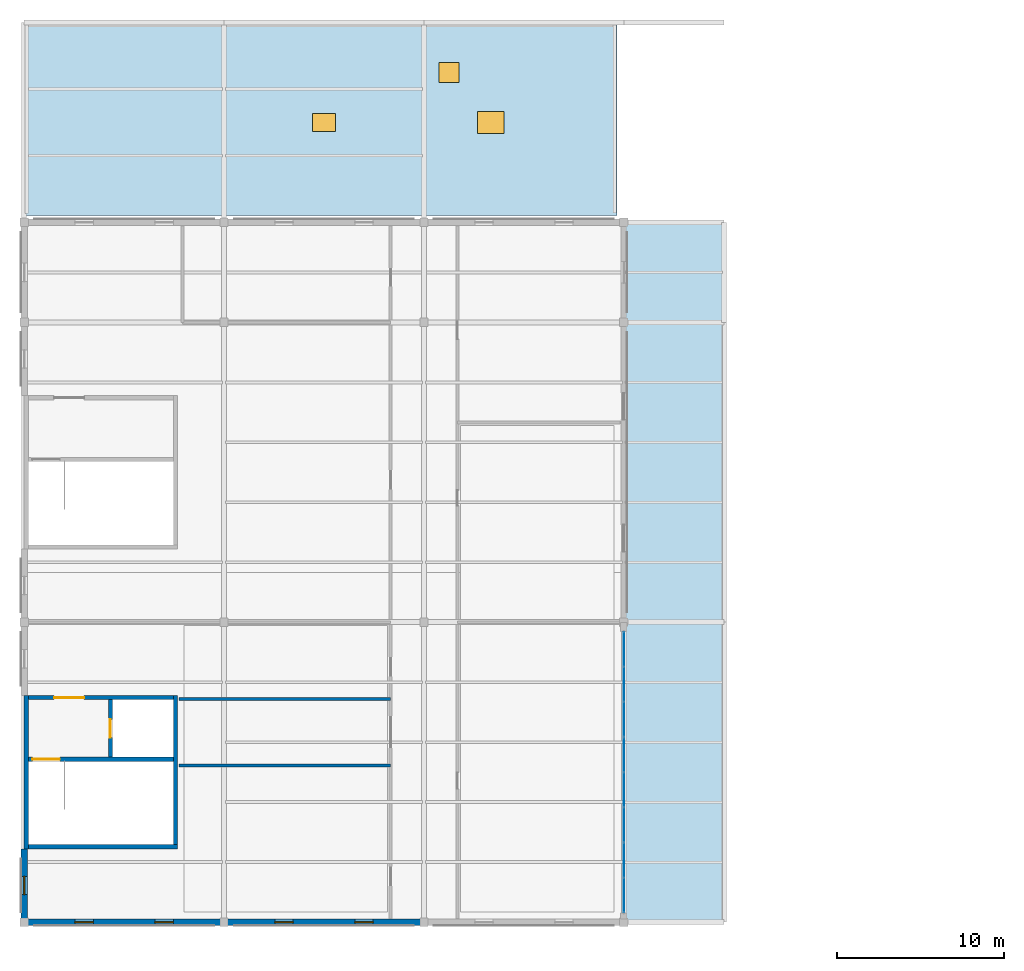
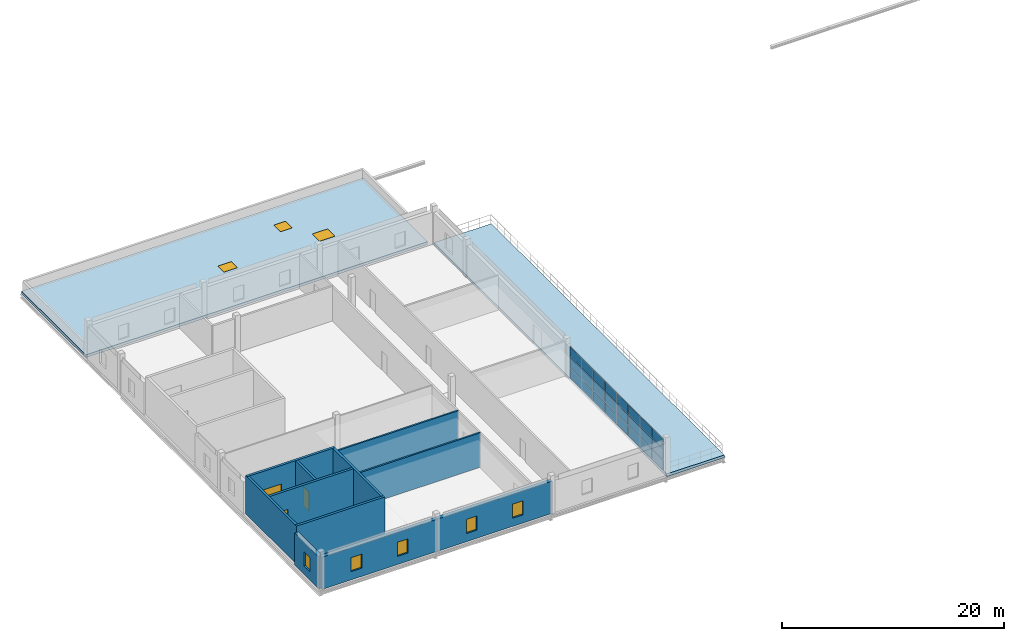
# One storey, part 8 of 11: 24 plates, 11 walls, 8 windows, 3 doors, 2 slabs, 11 openings, 1 element without a shape of its own.
"""IFC4 building model written with IfcOpenShell, lengths in metres."""

import ifcopenshell
import ifcopenshell.guid

model = None  # the IFC model being written
_history = None  # IfcOwnerHistory: only IFC2X3 demands one
_inside = {}  # id of a spatial element -> (the spatial element, [elements in it])
_under = {}  # id of a project, library or spatial element -> (it, [spatial elements below it])
_declared = {}  # id of a project -> (the project, [libraries it declares])
_typed = {}  # id of a type object -> (the type object, [elements of that type])
_made_of = {}  # id of a material, layer set ... -> (it, [elements and type objects made of it])


def new_model(schema):
    """Start an empty IFC model of exactly this schema.

    Asked for "IFC4X3", IfcOpenShell would pick the latest addendum, in which some entities
    have other attributes; the version numbers below select the first issue.
    IFC2X3 requires an IfcOwnerHistory on every rooted entity: one is made here for all.
    """
    global model, _history
    if schema == "IFC4X3":
        model = ifcopenshell.file(schema_version=(4, 3, 0, 0))
    else:
        model = ifcopenshell.file(schema=schema)
    _inside.clear()
    _under.clear()
    _declared.clear()
    _typed.clear()
    _made_of.clear()
    _history = None
    if model.schema == "IFC2X3":
        org = make("IfcOrganization", Name="unknown")
        user = make(
            "IfcPersonAndOrganization",
            ThePerson=make("IfcPerson", FamilyName="unknown"),
            TheOrganization=org,
        )
        app = make(
            "IfcApplication",
            ApplicationDeveloper=org,
            Version="unknown",
            ApplicationFullName="unknown",
            ApplicationIdentifier="unknown",
        )
        _history = make(
            "IfcOwnerHistory",
            OwningUser=user,
            OwningApplication=app,
            ChangeAction="ADDED",
            CreationDate=0,
        )
    return model


def make(cls, **values):
    """One entity of the class cls with the attributes given. An attribute that is None is left unset."""
    return model.create_entity(
        cls, **{name: value for name, value in values.items() if value is not None}
    )


def rooted(cls, **values):
    """An entity with a GlobalId (a new one), such as an element, a storey or a relation."""
    return make(cls, GlobalId=ifcopenshell.guid.new(), OwnerHistory=_history, **values)


def si_unit(unit_type, name, prefix=None):
    """IfcSIUnit, for example si_unit("LENGTHUNIT", "METRE", prefix="MILLI")."""
    return make("IfcSIUnit", UnitType=unit_type, Prefix=prefix, Name=name)


def assignment(units):
    """IfcUnitAssignment: the units of a project."""
    return None if units is None else make("IfcUnitAssignment", Units=units)


def point(xyz):
    """IfcCartesianPoint."""
    return None if xyz is None else make("IfcCartesianPoint", Coordinates=xyz)


def direction(xyz):
    """IfcDirection."""
    return None if xyz is None else make("IfcDirection", DirectionRatios=xyz)


def frame(location, z_axis=None, x_axis=None):
    """IfcAxis2Placement3D, a coordinate frame: its origin and axes. An axis left out is left unset."""
    return make(
        "IfcAxis2Placement3D",
        Location=point(location),
        Axis=direction(z_axis),
        RefDirection=direction(x_axis),
    )


def frame_2d(location, x_axis=None):
    """IfcAxis2Placement2D, a coordinate frame in the plane: its origin and x axis."""
    return make(
        "IfcAxis2Placement2D", Location=point(location), RefDirection=direction(x_axis)
    )


def origin():
    """The frame at (0, 0, 0) with its axes left unset."""
    return frame((0.0, 0.0, 0.0))


def origin_2d():
    """The frame at (0, 0) in the plane with its x axis left unset."""
    return frame_2d((0.0, 0.0))


def place(relative_to, where):
    """IfcLocalPlacement: puts the frame where relative to a parent placement (None: the world)."""
    return make(
        "IfcLocalPlacement", PlacementRelTo=relative_to, RelativePlacement=where
    )


def context(
    kind, dimensions, precision=None, world=None, true_north=None, identifier=None
):
    """IfcGeometricRepresentationContext, for example the 3D "Model" context."""
    return make(
        "IfcGeometricRepresentationContext",
        ContextIdentifier=identifier,
        ContextType=kind,
        CoordinateSpaceDimension=dimensions,
        Precision=precision,
        WorldCoordinateSystem=world,
        TrueNorth=true_north,
    )


def subcontext(parent, identifier, kind, view, scale=None):
    """IfcGeometricRepresentationSubContext, for example "Body" below "Model"."""
    return make(
        "IfcGeometricRepresentationSubContext",
        ContextIdentifier=identifier,
        ContextType=kind,
        ParentContext=parent,
        TargetScale=scale,
        TargetView=view,
    )


def project(units=None, contexts=None):
    """IfcProject with its units and contexts."""
    return rooted(
        "IfcProject",
        Name="project",
        RepresentationContexts=contexts,
        UnitsInContext=assignment(units),
    )


def spatial(cls, under=None, at=None, **own):
    """A site, building, storey or space (cls), placed at a placement, below another one or the project."""
    s = rooted(cls, ObjectPlacement=at, **own)
    if under is not None:
        _under.setdefault(under.id(), (under, []))[1].append(s)
    return s


def polyline(points):
    """IfcPolyline through the points."""
    return make("IfcPolyline", Points=[point(p) for p in points])


def profile(cls, at=None, kind="AREA", **sizes):
    """A parametric profile (cls). Its sizes go by their IFC names, for example OverallWidth=200.0."""
    return make(cls, ProfileType=kind, Position=at, **sizes)


def rectangle(**sizes):
    """IfcRectangleProfileDef."""
    return profile("IfcRectangleProfileDef", **sizes)


def outline(outer, holes=None, kind="AREA"):
    """IfcArbitraryClosedProfileDef: a profile drawn as a closed curve; with holes, ...WithVoids."""
    if holes is None:
        return make("IfcArbitraryClosedProfileDef", ProfileType=kind, OuterCurve=outer)
    return make(
        "IfcArbitraryProfileDefWithVoids",
        ProfileType=kind,
        OuterCurve=outer,
        InnerCurves=holes,
    )


def extrude(swept, where, along, depth):
    """IfcExtrudedAreaSolid: the profile swept, set in the frame where, extruded along a direction by depth."""
    return make(
        "IfcExtrudedAreaSolid",
        SweptArea=swept,
        Position=where,
        ExtrudedDirection=direction(along),
        Depth=depth,
    )


def shape(context_of_items, identifier, shape_type, items):
    """IfcShapeRepresentation: the items that make up one representation, for example the "Body"."""
    return make(
        "IfcShapeRepresentation",
        ContextOfItems=context_of_items,
        RepresentationIdentifier=identifier,
        RepresentationType=shape_type,
        Items=items,
    )


def material(Name=None, Category=None):
    """IfcMaterial."""
    return make("IfcMaterial", Name=Name, Category=Category)


def layer(
    of_material, thickness, ventilated=None, Name=None, Category=None, Priority=None
):
    """IfcMaterialLayer: one layer of a wall or slab, of a material (None: an air gap)."""
    return make(
        "IfcMaterialLayer",
        Material=of_material,
        LayerThickness=thickness,
        IsVentilated=ventilated,
        Name=Name,
        Category=Category,
        Priority=Priority,
    )


def layer_set(layers, Name=None):
    """IfcMaterialLayerSet."""
    return make("IfcMaterialLayerSet", MaterialLayers=layers, LayerSetName=Name)


def made_of(thing, what):
    """Note that an element or type object is made of a material, layer set ...; save() writes the relation."""
    if what is not None:
        _made_of.setdefault(what.id(), (what, []))[1].append(thing)
    return thing


def type_object(cls, material=None, **own):
    """A type object (cls), such as IfcWallType, which elements share."""
    return made_of(rooted(cls, **own), material)


def element(
    cls,
    number,
    at=None,
    inside=None,
    cuts=None,
    type_object=None,
    material=None,
    context=None,
    identifier="Body",
    shape_type=None,
    held_by="IfcProductDefinitionShape",
    body=None,
    shapes=None,
    **own,
):
    """One element of the class cls, such as IfcWall. Its Tag is "e" and its number.

    at: its placement. inside: the storey or other place that contains it. cuts: it is an
    opening in that element (IfcRelVoidsElement). A single representation is given by context,
    identifier, shape_type and body (its items); several are given by shapes. held_by: the class
    of the entity that holds the representations. save() writes the other relations.
    """
    e = rooted(cls, Tag="e%d" % number, ObjectPlacement=at, **own)
    if body is not None:
        shapes = [shape(context, identifier, shape_type, body)]
    if shapes is not None:
        e.Representation = make(held_by, Representations=shapes)
    if inside is not None:
        _inside.setdefault(inside.id(), (inside, []))[1].append(e)
    if cuts is not None:
        rooted(
            "IfcRelVoidsElement", RelatingBuildingElement=cuts, RelatedOpeningElement=e
        )
    if type_object is not None:
        _typed.setdefault(type_object.id(), (type_object, []))[1].append(e)
    return made_of(e, material)


def fill(opening, filler):
    """IfcRelFillsElement: the door or window that sits in an opening."""
    return rooted(
        "IfcRelFillsElement",
        RelatingOpeningElement=opening,
        RelatedBuildingElement=filler,
    )


def aggregate(whole, parts):
    """IfcRelAggregates: a whole, such as a stair, and the parts it consists of."""
    return rooted("IfcRelAggregates", RelatingObject=whole, RelatedObjects=parts)


def save(model, path):
    """Write the relations noted so far, then the file.

    IfcRelAggregates (storeys below a building ...), IfcRelContainedInSpatialStructure (elements
    in a storey), IfcRelDefinesByType, IfcRelAssociatesMaterial and IfcRelDeclares: one each for
    every whole, place, type object, material and project.
    """
    for whole, parts in _under.values():
        aggregate(whole, parts)
    for where, things in _inside.values():
        rooted(
            "IfcRelContainedInSpatialStructure",
            RelatedElements=things,
            RelatingStructure=where,
        )
    for kind, things in _typed.values():
        rooted("IfcRelDefinesByType", RelatedObjects=things, RelatingType=kind)
    for what, things in _made_of.values():
        rooted("IfcRelAssociatesMaterial", RelatedObjects=things, RelatingMaterial=what)
    for by, libraries in _declared.values():
        rooted("IfcRelDeclares", RelatingContext=by, RelatedDefinitions=libraries)
    model.write(path)


model = new_model("IFC4")

# Units and contexts
model_context = context("Model", 3, precision=1e-05, world=origin(), true_north=direction((0.0, 1.0)))
body_context = subcontext(model_context, "Body", "Model", "MODEL_VIEW")
ifc_project = project(units=[si_unit("LENGTHUNIT", "METRE"), si_unit("AREAUNIT", "SQUARE_METRE"), si_unit("VOLUMEUNIT", "CUBIC_METRE"), si_unit("PLANEANGLEUNIT", "RADIAN"), si_unit("MASSUNIT", "GRAM", prefix="KILO")], contexts=[model_context])

# Site, building, storey
site_placement = place(None, origin())
site = spatial("IfcSite", under=ifc_project, at=site_placement, CompositionType="ELEMENT")
building_placement = place(site_placement, origin())
building = spatial("IfcBuilding", under=site, at=building_placement, Name="Zilviju Railside Exhibition Hall", CompositionType="ELEMENT")
storey_placement = place(building_placement, frame((0.0, 0.0, 16.800048828125)))
storey = spatial("IfcBuildingStorey", under=building, at=storey_placement, Name="L05", CompositionType="ELEMENT", Elevation=16.800048828125)

# Curtain wall, plates
ifc_material_1 = material(Name="Thermally broken aluminium-steel triple-glazed curtain wall", Category="steel")
ifc_layer_1 = layer(ifc_material_1, 0.179931640625)
ifc_layer_set_1 = layer_set([ifc_layer_1], Name="Thermally broken aluminium-steel triple-glazed curtain wall")
curtain_wall_type = type_object("IfcCurtainWallType", Name="CW-BAY-08", PredefinedType="USERDEFINED", material=ifc_layer_set_1)
curtain_wall_placement = place(storey_placement, origin())
curtain_wall = element("IfcCurtainWall", 1, at=curtain_wall_placement, inside=storey, type_object=curtain_wall_type, Name="Directorate L05 Boardroom Curtain Wall", ObjectType="GLAZED CURTAIN WALL", PredefinedType="USERDEFINED")
ifc_material_2 = material(Name="Triple-glazed low-E argon insulating glass unit", Category="glass")
ifc_layer_2 = layer(ifc_material_2, 0.0439453125)
ifc_layer_set_2 = layer_set([ifc_layer_2], Name="Triple-glazed low-E argon insulating glass unit")
plate_type = type_object("IfcPlateType", Name="CWP-IGU-44", PredefinedType="CURTAIN_PANEL", material=ifc_layer_set_2)
plate_1_placement = place(storey_placement, frame((36.0, 100.3798828125, 0.054931640625), z_axis=(0.0, 0.0, 1.0), x_axis=(0.0, -1.0, 0.0)))
plate_1 = element("IfcPlate", 2, at=plate_1_placement, type_object=plate_type, Name="CW-08 panel 1.1", PredefinedType="CURTAIN_PANEL", context=body_context, shape_type="SweptSolid", body=[
    extrude(rectangle(XDim=2.030029296875, YDim=0.0439453125, at=origin_2d()), origin(), (0.0, 0.0, 1.0), 1.1005859375),
])
plate_2_placement = place(storey_placement, frame((36.0, 100.3798828125, 1.21044921875), z_axis=(0.0, 0.0, 1.0), x_axis=(0.0, -1.0, 0.0)))
plate_2 = element("IfcPlate", 3, at=plate_2_placement, type_object=plate_type, Name="CW-08 panel 1.2", PredefinedType="CURTAIN_PANEL", context=body_context, shape_type="SweptSolid", body=[
    extrude(rectangle(XDim=2.030029296875, YDim=0.0439453125, at=origin_2d()), origin(), (0.0, 0.0, 1.0), 1.12890625),
])
plate_3_placement = place(storey_placement, frame((36.0, 100.3798828125, 2.394287109375), z_axis=(0.0, 0.0, 1.0), x_axis=(0.0, -1.0, 0.0)))
plate_3 = element("IfcPlate", 4, at=plate_3_placement, type_object=plate_type, Name="CW-08 panel 1.3", PredefinedType="CURTAIN_PANEL", context=body_context, shape_type="SweptSolid", body=[
    extrude(rectangle(XDim=2.030029296875, YDim=0.0439453125, at=origin_2d()), origin(), (0.0, 0.0, 1.0), 1.1005859375),
])
plate_4_placement = place(storey_placement, frame((36.0, 98.28125, 0.054931640625), z_axis=(0.0, 0.0, 1.0), x_axis=(0.0, -1.0, 0.0)))
plate_4 = element("IfcPlate", 5, at=plate_4_placement, type_object=plate_type, Name="CW-08 panel 2.1", PredefinedType="CURTAIN_PANEL", context=body_context, shape_type="SweptSolid", body=[
    extrude(rectangle(XDim=2.0576171875, YDim=0.0439453125, at=origin_2d()), origin(), (0.0, 0.0, 1.0), 1.1005859375),
])
plate_5_placement = place(storey_placement, frame((36.0, 98.28125, 1.21044921875), z_axis=(0.0, 0.0, 1.0), x_axis=(0.0, -1.0, 0.0)))
plate_5 = element("IfcPlate", 6, at=plate_5_placement, type_object=plate_type, Name="CW-08 panel 2.2", PredefinedType="CURTAIN_PANEL", context=body_context, shape_type="SweptSolid", body=[
    extrude(rectangle(XDim=2.0576171875, YDim=0.0439453125, at=origin_2d()), origin(), (0.0, 0.0, 1.0), 1.12890625),
])
plate_6_placement = place(storey_placement, frame((36.0, 98.28125, 2.394287109375), z_axis=(0.0, 0.0, 1.0), x_axis=(0.0, -1.0, 0.0)))
plate_6 = element("IfcPlate", 7, at=plate_6_placement, type_object=plate_type, Name="CW-08 panel 2.3", PredefinedType="CURTAIN_PANEL", context=body_context, shape_type="SweptSolid", body=[
    extrude(rectangle(XDim=2.0576171875, YDim=0.0439453125, at=origin_2d()), origin(), (0.0, 0.0, 1.0), 1.1005859375),
])
plate_7_placement = place(storey_placement, frame((36.0, 96.168701171875, 0.054931640625), z_axis=(0.0, 0.0, 1.0), x_axis=(0.0, -1.0, 0.0)))
plate_7 = element("IfcPlate", 8, at=plate_7_placement, type_object=plate_type, Name="CW-08 panel 3.1", PredefinedType="CURTAIN_PANEL", context=body_context, shape_type="SweptSolid", body=[
    extrude(rectangle(XDim=2.0576171875, YDim=0.0439453125, at=origin_2d()), origin(), (0.0, 0.0, 1.0), 1.1005859375),
])
plate_8_placement = place(storey_placement, frame((36.0, 96.168701171875, 1.21044921875), z_axis=(0.0, 0.0, 1.0), x_axis=(0.0, -1.0, 0.0)))
plate_8 = element("IfcPlate", 9, at=plate_8_placement, type_object=plate_type, Name="CW-08 panel 3.2", PredefinedType="CURTAIN_PANEL", context=body_context, shape_type="SweptSolid", body=[
    extrude(rectangle(XDim=2.0576171875, YDim=0.0439453125, at=origin_2d()), origin(), (0.0, 0.0, 1.0), 1.12890625),
])
plate_9_placement = place(storey_placement, frame((36.0, 96.168701171875, 2.394287109375), z_axis=(0.0, 0.0, 1.0), x_axis=(0.0, -1.0, 0.0)))
plate_9 = element("IfcPlate", 10, at=plate_9_placement, type_object=plate_type, Name="CW-08 panel 3.3", PredefinedType="CURTAIN_PANEL", context=body_context, shape_type="SweptSolid", body=[
    extrude(rectangle(XDim=2.0576171875, YDim=0.0439453125, at=origin_2d()), origin(), (0.0, 0.0, 1.0), 1.1005859375),
])
plate_10_placement = place(storey_placement, frame((36.0, 94.05615234375, 0.054931640625), z_axis=(0.0, 0.0, 1.0), x_axis=(0.0, -1.0, 0.0)))
plate_10 = element("IfcPlate", 11, at=plate_10_placement, type_object=plate_type, Name="CW-08 panel 4.1", PredefinedType="CURTAIN_PANEL", context=body_context, shape_type="SweptSolid", body=[
    extrude(rectangle(XDim=2.0576171875, YDim=0.0439453125, at=origin_2d()), origin(), (0.0, 0.0, 1.0), 1.1005859375),
])
plate_11_placement = place(storey_placement, frame((36.0, 94.05615234375, 1.21044921875), z_axis=(0.0, 0.0, 1.0), x_axis=(0.0, -1.0, 0.0)))
plate_11 = element("IfcPlate", 12, at=plate_11_placement, type_object=plate_type, Name="CW-08 panel 4.2", PredefinedType="CURTAIN_PANEL", context=body_context, shape_type="SweptSolid", body=[
    extrude(rectangle(XDim=2.0576171875, YDim=0.0439453125, at=origin_2d()), origin(), (0.0, 0.0, 1.0), 1.12890625),
])
plate_12_placement = place(storey_placement, frame((36.0, 94.05615234375, 2.394287109375), z_axis=(0.0, 0.0, 1.0), x_axis=(0.0, -1.0, 0.0)))
plate_12 = element("IfcPlate", 13, at=plate_12_placement, type_object=plate_type, Name="CW-08 panel 4.3", PredefinedType="CURTAIN_PANEL", context=body_context, shape_type="SweptSolid", body=[
    extrude(rectangle(XDim=2.0576171875, YDim=0.0439453125, at=origin_2d()), origin(), (0.0, 0.0, 1.0), 1.1005859375),
])
plate_13_placement = place(storey_placement, frame((36.0, 91.94384765625, 0.054931640625), z_axis=(0.0, 0.0, 1.0), x_axis=(0.0, -1.0, 0.0)))
plate_13 = element("IfcPlate", 14, at=plate_13_placement, type_object=plate_type, Name="CW-08 panel 5.1", PredefinedType="CURTAIN_PANEL", context=body_context, shape_type="SweptSolid", body=[
    extrude(rectangle(XDim=2.0576171875, YDim=0.0439453125, at=origin_2d()), origin(), (0.0, 0.0, 1.0), 1.1005859375),
])
plate_14_placement = place(storey_placement, frame((36.0, 91.94384765625, 1.21044921875), z_axis=(0.0, 0.0, 1.0), x_axis=(0.0, -1.0, 0.0)))
plate_14 = element("IfcPlate", 15, at=plate_14_placement, type_object=plate_type, Name="CW-08 panel 5.2", PredefinedType="CURTAIN_PANEL", context=body_context, shape_type="SweptSolid", body=[
    extrude(rectangle(XDim=2.0576171875, YDim=0.0439453125, at=origin_2d()), origin(), (0.0, 0.0, 1.0), 1.12890625),
])
plate_15_placement = place(storey_placement, frame((36.0, 91.94384765625, 2.394287109375), z_axis=(0.0, 0.0, 1.0), x_axis=(0.0, -1.0, 0.0)))
plate_15 = element("IfcPlate", 16, at=plate_15_placement, type_object=plate_type, Name="CW-08 panel 5.3", PredefinedType="CURTAIN_PANEL", context=body_context, shape_type="SweptSolid", body=[
    extrude(rectangle(XDim=2.0576171875, YDim=0.0439453125, at=origin_2d()), origin(), (0.0, 0.0, 1.0), 1.1005859375),
])
plate_16_placement = place(storey_placement, frame((36.0, 89.831298828125, 0.054931640625), z_axis=(0.0, 0.0, 1.0), x_axis=(0.0, -1.0, 0.0)))
plate_16 = element("IfcPlate", 17, at=plate_16_placement, type_object=plate_type, Name="CW-08 panel 6.1", PredefinedType="CURTAIN_PANEL", context=body_context, shape_type="SweptSolid", body=[
    extrude(rectangle(XDim=2.0576171875, YDim=0.0439453125, at=origin_2d()), origin(), (0.0, 0.0, 1.0), 1.1005859375),
])
plate_17_placement = place(storey_placement, frame((36.0, 89.831298828125, 1.21044921875), z_axis=(0.0, 0.0, 1.0), x_axis=(0.0, -1.0, 0.0)))
plate_17 = element("IfcPlate", 18, at=plate_17_placement, type_object=plate_type, Name="CW-08 panel 6.2", PredefinedType="CURTAIN_PANEL", context=body_context, shape_type="SweptSolid", body=[
    extrude(rectangle(XDim=2.0576171875, YDim=0.0439453125, at=origin_2d()), origin(), (0.0, 0.0, 1.0), 1.12890625),
])
plate_18_placement = place(storey_placement, frame((36.0, 89.831298828125, 2.394287109375), z_axis=(0.0, 0.0, 1.0), x_axis=(0.0, -1.0, 0.0)))
plate_18 = element("IfcPlate", 19, at=plate_18_placement, type_object=plate_type, Name="CW-08 panel 6.3", PredefinedType="CURTAIN_PANEL", context=body_context, shape_type="SweptSolid", body=[
    extrude(rectangle(XDim=2.0576171875, YDim=0.0439453125, at=origin_2d()), origin(), (0.0, 0.0, 1.0), 1.1005859375),
])
plate_19_placement = place(storey_placement, frame((36.0, 87.71875, 0.054931640625), z_axis=(0.0, 0.0, 1.0), x_axis=(0.0, -1.0, 0.0)))
plate_19 = element("IfcPlate", 20, at=plate_19_placement, type_object=plate_type, Name="CW-08 panel 7.1", PredefinedType="CURTAIN_PANEL", context=body_context, shape_type="SweptSolid", body=[
    extrude(rectangle(XDim=2.0576171875, YDim=0.0439453125, at=origin_2d()), origin(), (0.0, 0.0, 1.0), 1.1005859375),
])
plate_20_placement = place(storey_placement, frame((36.0, 87.71875, 1.21044921875), z_axis=(0.0, 0.0, 1.0), x_axis=(0.0, -1.0, 0.0)))
plate_20 = element("IfcPlate", 21, at=plate_20_placement, type_object=plate_type, Name="CW-08 panel 7.2", PredefinedType="CURTAIN_PANEL", context=body_context, shape_type="SweptSolid", body=[
    extrude(rectangle(XDim=2.0576171875, YDim=0.0439453125, at=origin_2d()), origin(), (0.0, 0.0, 1.0), 1.12890625),
])
plate_21_placement = place(storey_placement, frame((36.0, 87.71875, 2.394287109375), z_axis=(0.0, 0.0, 1.0), x_axis=(0.0, -1.0, 0.0)))
plate_21 = element("IfcPlate", 22, at=plate_21_placement, type_object=plate_type, Name="CW-08 panel 7.3", PredefinedType="CURTAIN_PANEL", context=body_context, shape_type="SweptSolid", body=[
    extrude(rectangle(XDim=2.0576171875, YDim=0.0439453125, at=origin_2d()), origin(), (0.0, 0.0, 1.0), 1.1005859375),
])
plate_22_placement = place(storey_placement, frame((36.0, 85.6201171875, 0.054931640625), z_axis=(0.0, 0.0, 1.0), x_axis=(0.0, -1.0, 0.0)))
plate_22 = element("IfcPlate", 23, at=plate_22_placement, type_object=plate_type, Name="CW-08 panel 8.1", PredefinedType="CURTAIN_PANEL", context=body_context, shape_type="SweptSolid", body=[
    extrude(rectangle(XDim=2.030029296875, YDim=0.0439453125, at=origin_2d()), origin(), (0.0, 0.0, 1.0), 1.1005859375),
])
plate_23_placement = place(storey_placement, frame((36.0, 85.6201171875, 1.21044921875), z_axis=(0.0, 0.0, 1.0), x_axis=(0.0, -1.0, 0.0)))
plate_23 = element("IfcPlate", 24, at=plate_23_placement, type_object=plate_type, Name="CW-08 panel 8.2", PredefinedType="CURTAIN_PANEL", context=body_context, shape_type="SweptSolid", body=[
    extrude(rectangle(XDim=2.030029296875, YDim=0.0439453125, at=origin_2d()), origin(), (0.0, 0.0, 1.0), 1.12890625),
])
plate_24_placement = place(storey_placement, frame((36.0, 85.6201171875, 2.394287109375), z_axis=(0.0, 0.0, 1.0), x_axis=(0.0, -1.0, 0.0)))
plate_24 = element("IfcPlate", 25, at=plate_24_placement, type_object=plate_type, Name="CW-08 panel 8.3", PredefinedType="CURTAIN_PANEL", context=body_context, shape_type="SweptSolid", body=[
    extrude(rectangle(XDim=2.030029296875, YDim=0.0439453125, at=origin_2d()), origin(), (0.0, 0.0, 1.0), 1.1005859375),
])
aggregate(curtain_wall, [plate_1, plate_2, plate_3, plate_4, plate_5, plate_6, plate_7, plate_8, plate_9, plate_10, plate_11, plate_12, plate_13, plate_14, plate_15, plate_16, plate_17, plate_18, plate_19, plate_20, plate_21, plate_22, plate_23, plate_24])

# Slab
ifc_material_3 = material(Name="Concrete C35/45", Category="concrete")
ifc_layer_3 = layer(ifc_material_3, 0.300048828125)
ifc_layer_set_3 = layer_set([ifc_layer_3], Name="Concrete C35/45")
slab_type = type_object("IfcSlabType", Name="SL-RG-300", PredefinedType="ROOF", material=ifc_layer_set_3)
slab_1_placement = place(storey_placement, frame((0.0, 0.0, -0.300048828125)))
element("IfcSlab", 26, at=slab_1_placement, inside=storey, type_object=slab_type, Name="Directorate East Step Planted Roof Garden", PredefinedType="ROOF", context=body_context, shape_type="SweptSolid", body=[
    extrude(outline(polyline([(36.0, 84.0), (42.0, 84.0), (42.0, 126.0), (36.0, 126.0), (36.0, 84.0)])), origin(), (0.0, 0.0, 1.0), 0.300048828125),
])

# Slab, openings, windows
slab_2_placement = place(storey_placement, frame((0.0, 0.0, -0.300048828125)))
slab_2 = element("IfcSlab", 27, at=slab_2_placement, inside=storey, type_object=slab_type, Name="Directorate North Extensive Green Roof", PredefinedType="ROOF", context=body_context, shape_type="SweptSolid", body=[
    extrude(outline(polyline([(0.0, 126.39990234375), (35.60009765625, 126.39990234375), (35.60009765625, 138.0), (0.0, 138.0), (0.0, 126.39990234375)])), origin(), (0.0, 0.0, 1.0), 0.300048828125),
])
opening_1_placement = place(slab_2_placement, frame((18.0, 132.0, 0.0)))
opening_1 = element("IfcOpeningElement", 28, at=opening_1_placement, cuts=slab_2, Name="Opening SK-05", PredefinedType="OPENING", context=body_context, shape_type="SweptSolid", body=[
    extrude(rectangle(XDim=1.39990234375, YDim=1.10009765625, at=origin_2d()), frame((0.0, 0.0, -0.010009765625)), (0.0, 0.0, 1.0), 0.320068359375),
])
opening_2_placement = place(slab_2_placement, frame((28.0, 132.0, 0.0)))
opening_2 = element("IfcOpeningElement", 29, at=opening_2_placement, cuts=slab_2, Name="Opening SK-06", PredefinedType="OPENING", context=body_context, shape_type="SweptSolid", body=[
    extrude(rectangle(XDim=1.60009765625, YDim=1.300048828125, at=origin_2d()), frame((0.0, 0.0, -0.010009765625)), (0.0, 0.0, 1.0), 0.320068359375),
])
opening_3_placement = place(slab_2_placement, frame((25.5, 135.0, 0.0)))
opening_3 = element("IfcOpeningElement", 30, at=opening_3_placement, cuts=slab_2, Name="Opening SK-04", PredefinedType="OPENING", context=body_context, shape_type="SweptSolid", body=[
    extrude(rectangle(XDim=1.199951171875, YDim=1.199951171875, at=origin_2d()), frame((0.0, 0.0, -0.010009765625)), (0.0, 0.0, 1.0), 0.320068359375),
])
ifc_material_4 = material(Name="Triple-glazed timber-aluminium window unit", Category="wood")
window_type_1 = type_object("IfcWindowType", Name="SKY-HT-120x120", PartitioningType="SINGLE_PANEL", PredefinedType="SKYLIGHT", material=ifc_material_4)
window_1_placement = place(opening_3_placement, frame((0.0, 0.0, 0.239990234375)))
window_1 = element("IfcWindow", 31, at=window_1_placement, inside=storey, type_object=window_type_1, Name="ROOF ACCESS HATCH RH-05", OverallHeight=1.199951171875, OverallWidth=1.199951171875, PartitioningType="SINGLE_PANEL", PredefinedType="SKYLIGHT", context=body_context, shape_type="SweptSolid", body=[
    extrude(rectangle(XDim=1.199951171875, YDim=1.199951171875, at=origin_2d()), origin(), (0.0, 0.0, 1.0), 0.06005859375),
])
fill(opening_3, window_1)
window_type_2 = type_object("IfcWindowType", Name="SKY-HT-140x110", PartitioningType="DOUBLE_PANEL_VERTICAL", PredefinedType="SKYLIGHT", material=ifc_material_4)
window_2_placement = place(opening_1_placement, frame((0.0, 0.0, 0.239990234375)))
window_2 = element("IfcWindow", 32, at=window_2_placement, inside=storey, type_object=window_type_2, Name="ROOF ACCESS HATCH RH-02", OverallHeight=1.10009765625, OverallWidth=1.39990234375, PartitioningType="SINGLE_PANEL", PredefinedType="SKYLIGHT", context=body_context, shape_type="SweptSolid", body=[
    extrude(rectangle(XDim=1.39990234375, YDim=1.10009765625, at=origin_2d()), origin(), (0.0, 0.0, 1.0), 0.06005859375),
])
fill(opening_1, window_2)
window_type_3 = type_object("IfcWindowType", Name="SKY-HT-160x130", PartitioningType="DOUBLE_PANEL_VERTICAL", PredefinedType="SKYLIGHT", material=ifc_material_4)
window_3_placement = place(opening_2_placement, frame((0.0, 0.0, 0.239990234375)))
window_3 = element("IfcWindow", 33, at=window_3_placement, inside=storey, type_object=window_type_3, Name="Smoke Vent Skylight SV-06", OverallHeight=1.300048828125, OverallWidth=1.60009765625, PartitioningType="SINGLE_PANEL", PredefinedType="SKYLIGHT", context=body_context, shape_type="SweptSolid", body=[
    extrude(rectangle(XDim=1.60009765625, YDim=1.300048828125, at=origin_2d()), origin(), (0.0, 0.0, 1.0), 0.06005859375),
])
fill(opening_2, window_3)

# Walls
ifc_layer_4 = layer(ifc_material_3, 0.25)
ifc_layer_set_4 = layer_set([ifc_layer_4], Name="Concrete C35/45")
wall_type_1 = type_object("IfcWallType", Name="WL-CORE-250", PredefinedType="SHEAR", material=ifc_layer_set_4)
wall_1_placement = place(storey_placement, frame((0.0, 88.52490234375, 0.0), z_axis=(0.0, 0.0, 1.0), x_axis=(1.0, 0.0, 0.0)))
element("IfcWall", 34, at=wall_1_placement, inside=storey, type_object=wall_type_1, Name="Core C15 Organisers Wing South Stairwell Outer Wall L05", PredefinedType="SHEAR", context=body_context, shape_type="SweptSolid", body=[
    extrude(rectangle(XDim=9.199951171875, YDim=0.25, at=frame_2d((4.60009765625, 0.0))), origin(), (0.0, 0.0, 1.0), 4.199951171875),
])
wall_2_placement = place(storey_placement, frame((9.074951171875, 88.39990234375, 0.0), z_axis=(0.0, 0.0, 1.0), x_axis=(0.0, 1.0, 0.0)))
element("IfcWall", 35, at=wall_2_placement, inside=storey, type_object=wall_type_1, Name="Core C15 Organisers Wing South Core Rear Wall L05", PredefinedType="SHEAR", context=body_context, shape_type="SweptSolid", body=[
    extrude(rectangle(XDim=9.2001953125, YDim=0.25, at=frame_2d((4.60009765625, 0.0))), origin(), (0.0, 0.0, 1.0), 4.199951171875),
])

# Wall, opening, door
wall_3_placement = place(storey_placement, frame((0.0, 97.47509765625, 0.0), z_axis=(0.0, 0.0, 1.0), x_axis=(1.0, 0.0, 0.0)))
wall_3 = element("IfcWall", 36, at=wall_3_placement, inside=storey, type_object=wall_type_1, Name="Core C15 Organisers Wing South Lobby Side Wall L05", PredefinedType="SHEAR", context=body_context, shape_type="SweptSolid", body=[
    extrude(rectangle(XDim=9.199951171875, YDim=0.25, at=frame_2d((4.60009765625, 0.0))), origin(), (0.0, 0.0, 1.0), 4.199951171875),
])
opening_4_placement = place(wall_3_placement, frame((1.800048828125, 0.0, 0.0)))
opening_4 = element("IfcOpeningElement", 37, at=opening_4_placement, cuts=wall_3, Name="Opening FD-02", PredefinedType="OPENING", context=body_context, shape_type="SweptSolid", body=[
    extrude(rectangle(XDim=1.800048828125, YDim=2.14990234375, at=frame_2d((0.89990234375, 1.074951171875))), frame((0.0, 0.135009765625, 0.0), z_axis=(0.0, -1.0, 0.0), x_axis=(1.0, 0.0, 0.0)), (0.0, 0.0, 1.0), 0.27001953125),
])
ifc_material_5 = material(Name="Self-closing glazed steel core lobby fire door EI 60", Category="steel")
door_type_1 = type_object("IfcDoorType", Name="DR-LOBBY-180x215", OperationType="NOTDEFINED", PredefinedType="DOOR", material=ifc_material_5)
door_1_placement = place(opening_4_placement, origin())
door_1 = element("IfcDoor", 38, at=door_1_placement, inside=storey, type_object=door_type_1, Name="Core C15 Organisers Wing South Lobby Fire Door L05", OperationType="DOUBLE_DOOR_SINGLE_SWING", OverallHeight=2.14990234375, OverallWidth=1.800048828125, PredefinedType="DOOR", context=body_context, shape_type="SweptSolid", body=[
    extrude(rectangle(XDim=1.800048828125, YDim=2.14990234375, at=frame_2d((0.89990234375, 1.074951171875))), frame((0.0, 0.02490234375, 0.0), z_axis=(0.0, -1.0, 0.0), x_axis=(1.0, 0.0, 0.0)), (0.0, 0.0, 1.0), 0.050048828125),
])
fill(opening_4, door_1)

wall_4_placement = place(storey_placement, frame((0.25, 93.77490234375, 0.0), z_axis=(0.0, 0.0, 1.0), x_axis=(1.0, 0.0, 0.0)))
wall_4 = element("IfcWall", 39, at=wall_4_placement, inside=storey, type_object=wall_type_1, Name="Core C15 Organisers Wing South Stairwell Partition Wall L05", PredefinedType="SHEAR", context=body_context, shape_type="SweptSolid", body=[
    extrude(rectangle(XDim=8.699951171875, YDim=0.25, at=frame_2d((4.35009765625, 0.0))), origin(), (0.0, 0.0, 1.0), 4.199951171875),
])
opening_5_placement = place(wall_4_placement, frame((0.25, 0.0, 0.0)))
opening_5 = element("IfcOpeningElement", 40, at=opening_5_placement, cuts=wall_4, Name="Opening FD-01", PredefinedType="OPENING", context=body_context, shape_type="SweptSolid", body=[
    extrude(rectangle(XDim=1.64990234375, YDim=2.10009765625, at=frame_2d((0.824951171875, 1.050048828125))), frame((0.0, 0.135009765625, 0.0), z_axis=(0.0, -1.0, 0.0), x_axis=(1.0, 0.0, 0.0)), (0.0, 0.0, 1.0), 0.27001953125),
])
ifc_material_6 = material(Name="Self-closing steel stair enclosure fire door EI 60", Category="steel")
door_type_2 = type_object("IfcDoorType", Name="DR-STAIR-165x210", OperationType="NOTDEFINED", PredefinedType="DOOR", material=ifc_material_6)
door_2_placement = place(opening_5_placement, origin())
door_2 = element("IfcDoor", 41, at=door_2_placement, inside=storey, type_object=door_type_2, Name="Core C15 Organisers Wing South Protected Stair Door L05", OperationType="SINGLE_SWING_LEFT", OverallHeight=2.10009765625, OverallWidth=1.64990234375, PredefinedType="DOOR", context=body_context, shape_type="SweptSolid", body=[
    extrude(rectangle(XDim=1.64990234375, YDim=2.10009765625, at=frame_2d((0.824951171875, 1.050048828125))), frame((0.0, 0.02490234375, 0.0), z_axis=(0.0, -1.0, 0.0), x_axis=(1.0, 0.0, 0.0)), (0.0, 0.0, 1.0), 0.050048828125),
])
fill(opening_5, door_2)

wall_5_placement = place(storey_placement, frame((5.175048828125, 93.89990234375, 0.0), z_axis=(0.0, 0.0, 1.0), x_axis=(0.0, 1.0, 0.0)))
wall_5 = element("IfcWall", 42, at=wall_5_placement, inside=storey, type_object=wall_type_1, Name="Core C15 Organisers Wing South Lift Shaft Front Wall L05", PredefinedType="SHEAR", context=body_context, shape_type="SweptSolid", body=[
    extrude(rectangle(XDim=3.4501953125, YDim=0.25, at=frame_2d((1.72509765625, 0.0))), origin(), (0.0, 0.0, 1.0), 4.199951171875),
])
opening_6_placement = place(wall_5_placement, frame((1.175048828125, 0.0, 0.0)))
opening_6 = element("IfcOpeningElement", 43, at=opening_6_placement, cuts=wall_5, Name="Opening LD-01", PredefinedType="OPENING", context=body_context, shape_type="SweptSolid", body=[
    extrude(rectangle(XDim=1.10009765625, YDim=2.10009765625, at=frame_2d((0.550048828125, 1.050048828125))), frame((0.0, 0.135009765625, 0.0), z_axis=(0.0, -1.0, 0.0), x_axis=(1.0, 0.0, 0.0)), (0.0, 0.0, 1.0), 0.27001953125),
])
ifc_material_7 = material(Name="Passenger lift sliding landing door EI 60", Category="wood")
door_type_3 = type_object("IfcDoorType", Name="DR-LIFT-110x210", OperationType="NOTDEFINED", PredefinedType="DOOR", material=ifc_material_7)
door_3_placement = place(opening_6_placement, origin())
door_3 = element("IfcDoor", 44, at=door_3_placement, inside=storey, type_object=door_type_3, Name="Lift Landing Door LP-06 L05", OperationType="SLIDING_TO_LEFT", OverallHeight=2.10009765625, OverallWidth=1.10009765625, PredefinedType="DOOR", context=body_context, shape_type="SweptSolid", body=[
    extrude(rectangle(XDim=1.10009765625, YDim=2.10009765625, at=frame_2d((0.550048828125, 1.050048828125))), frame((0.0, 0.02490234375, 0.0), z_axis=(0.0, -1.0, 0.0), x_axis=(1.0, 0.0, 0.0)), (0.0, 0.0, 1.0), 0.050048828125),
])
fill(opening_6, door_3)

# Wall
ifc_material_8 = material(Name="Concrete C40/50", Category="concrete")
ifc_layer_5 = layer(ifc_material_8, 0.25)
ifc_layer_set_5 = layer_set([ifc_layer_5], Name="Concrete C40/50")
wall_type_2 = type_object("IfcWallType", Name="WL-CORE-300", PredefinedType="SHEAR", material=ifc_layer_set_5)
wall_6_placement = place(storey_placement, frame((0.125, 88.39990234375, 0.0), z_axis=(0.0, 0.0, 1.0), x_axis=(0.0, 1.0, 0.0)))
element("IfcWall", 45, at=wall_6_placement, inside=storey, type_object=wall_type_2, Name="Core C15 Organisers Wing South Exterior Core Wall L05", PredefinedType="SHEAR", context=body_context, shape_type="SweptSolid", body=[
    extrude(rectangle(XDim=9.2001953125, YDim=0.25, at=frame_2d((4.60009765625, 0.0))), origin(), (0.0, 0.0, 1.0), 4.199951171875),
])

# Wall, opening, window
ifc_material_9 = material(Name="Insulated cream-brick upper facade wall", Category="masonry")
ifc_layer_6 = layer(ifc_material_9, 0.3798828125)
ifc_layer_set_6 = layer_set([ifc_layer_6], Name="Insulated cream-brick upper facade wall")
wall_type_3 = type_object("IfcWallType", Name="WL-EXT-380", PredefinedType="SOLIDWALL", material=ifc_layer_set_6)
wall_7_placement = place(storey_placement, frame((0.0, 84.0, 0.0), z_axis=(0.0, 0.0, 1.0), x_axis=(0.0, 1.0, 0.0)))
wall_7 = element("IfcWall", 46, at=wall_7_placement, inside=storey, type_object=wall_type_3, Name="Exterior Facade Wall L05 West 0506", PredefinedType="SOLIDWALL", context=body_context, shape_type="SweptSolid", body=[
    extrude(rectangle(XDim=4.39990234375, YDim=0.3798828125, at=frame_2d((2.199951171875, 0.0))), origin(), (0.0, 0.0, 1.0), 3.52490234375),
])
opening_7_placement = place(wall_7_placement, frame((1.64990234375, 0.0, 0.89990234375)))
opening_7 = element("IfcOpeningElement", 47, at=opening_7_placement, cuts=wall_7, Name="Opening WN-10", PredefinedType="OPENING", context=body_context, shape_type="SweptSolid", body=[
    extrude(rectangle(XDim=1.10009765625, YDim=1.550048828125, at=frame_2d((0.550048828125, 0.77490234375))), frame((0.0, 0.199951171875, 0.0), z_axis=(0.0, -1.0, 0.0), x_axis=(1.0, 0.0, 0.0)), (0.0, 0.0, 1.0), 0.39990234375),
])
window_type_4 = type_object("IfcWindowType", Name="WIN-ATT-110x155", PartitioningType="SINGLE_PANEL", PredefinedType="WINDOW", material=ifc_material_4)
window_4_placement = place(opening_7_placement, origin())
window_4 = element("IfcWindow", 48, at=window_4_placement, inside=storey, type_object=window_type_4, Name="Facade Window L05 WN-0068", OverallHeight=1.550048828125, OverallWidth=1.10009765625, PartitioningType="SINGLE_PANEL", PredefinedType="WINDOW", context=body_context, shape_type="SweptSolid", body=[
    extrude(rectangle(XDim=1.10009765625, YDim=1.550048828125, at=frame_2d((0.550048828125, 0.77490234375))), frame((0.0, 0.030029296875, 0.0), z_axis=(0.0, -1.0, 0.0), x_axis=(1.0, 0.0, 0.0)), (0.0, 0.0, 1.0), 0.06005859375),
])
fill(opening_7, window_4)

# Wall, openings, windows
wall_8_placement = place(storey_placement, frame((12.0, 84.0, 0.0), z_axis=(0.0, 0.0, 1.0), x_axis=(-1.0, 0.0, 0.0)))
wall_8 = element("IfcWall", 49, at=wall_8_placement, inside=storey, type_object=wall_type_3, Name="Exterior Facade Wall L05 South 0515", PredefinedType="SOLIDWALL", context=body_context, shape_type="SweptSolid", body=[
    extrude(rectangle(XDim=12.0, YDim=0.3798828125, at=frame_2d((6.0, 0.0))), origin(), (0.0, 0.0, 1.0), 3.554931640625),
])
opening_8_placement = place(wall_8_placement, frame((3.050048828125, 0.0, 0.89990234375)))
opening_8 = element("IfcOpeningElement", 50, at=opening_8_placement, cuts=wall_8, Name="Opening WN-10", PredefinedType="OPENING", context=body_context, shape_type="SweptSolid", body=[
    extrude(rectangle(XDim=1.10009765625, YDim=1.550048828125, at=frame_2d((0.550048828125, 0.77490234375))), frame((0.0, 0.199951171875, 0.0), z_axis=(0.0, -1.0, 0.0), x_axis=(1.0, 0.0, 0.0)), (0.0, 0.0, 1.0), 0.39990234375),
])
opening_9_placement = place(wall_8_placement, frame((7.85009765625, 0.0, 0.89990234375)))
opening_9 = element("IfcOpeningElement", 51, at=opening_9_placement, cuts=wall_8, Name="Opening WN-10", PredefinedType="OPENING", context=body_context, shape_type="SweptSolid", body=[
    extrude(rectangle(XDim=1.10009765625, YDim=1.550048828125, at=frame_2d((0.550048828125, 0.77490234375))), frame((0.0, 0.199951171875, 0.0), z_axis=(0.0, -1.0, 0.0), x_axis=(1.0, 0.0, 0.0)), (0.0, 0.0, 1.0), 0.39990234375),
])
window_5_placement = place(opening_8_placement, origin())
window_5 = element("IfcWindow", 52, at=window_5_placement, inside=storey, type_object=window_type_4, Name="Facade Window L05 WN-0074", OverallHeight=1.550048828125, OverallWidth=1.10009765625, PartitioningType="SINGLE_PANEL", PredefinedType="WINDOW", context=body_context, shape_type="SweptSolid", body=[
    extrude(rectangle(XDim=1.10009765625, YDim=1.550048828125, at=frame_2d((0.550048828125, 0.77490234375))), frame((0.0, 0.030029296875, 0.0), z_axis=(0.0, -1.0, 0.0), x_axis=(1.0, 0.0, 0.0)), (0.0, 0.0, 1.0), 0.06005859375),
])
fill(opening_8, window_5)
window_6_placement = place(opening_9_placement, origin())
window_6 = element("IfcWindow", 53, at=window_6_placement, inside=storey, type_object=window_type_4, Name="Facade Window L05 WN-0075", OverallHeight=1.550048828125, OverallWidth=1.10009765625, PartitioningType="SINGLE_PANEL", PredefinedType="WINDOW", context=body_context, shape_type="SweptSolid", body=[
    extrude(rectangle(XDim=1.10009765625, YDim=1.550048828125, at=frame_2d((0.550048828125, 0.77490234375))), frame((0.0, 0.030029296875, 0.0), z_axis=(0.0, -1.0, 0.0), x_axis=(1.0, 0.0, 0.0)), (0.0, 0.0, 1.0), 0.06005859375),
])
fill(opening_9, window_6)

wall_9_placement = place(storey_placement, frame((24.0, 84.0, 0.0), z_axis=(0.0, 0.0, 1.0), x_axis=(-1.0, 0.0, 0.0)))
wall_9 = element("IfcWall", 54, at=wall_9_placement, inside=storey, type_object=wall_type_3, Name="Exterior Facade Wall L05 South 0517", PredefinedType="SOLIDWALL", context=body_context, shape_type="SweptSolid", body=[
    extrude(rectangle(XDim=12.0, YDim=0.3798828125, at=frame_2d((6.0, 0.0))), origin(), (0.0, 0.0, 1.0), 3.554931640625),
])
opening_10_placement = place(wall_9_placement, frame((3.050048828125, 0.0, 0.89990234375)))
opening_10 = element("IfcOpeningElement", 55, at=opening_10_placement, cuts=wall_9, Name="Opening WN-10", PredefinedType="OPENING", context=body_context, shape_type="SweptSolid", body=[
    extrude(rectangle(XDim=1.10009765625, YDim=1.550048828125, at=frame_2d((0.550048828125, 0.77490234375))), frame((0.0, 0.199951171875, 0.0), z_axis=(0.0, -1.0, 0.0), x_axis=(1.0, 0.0, 0.0)), (0.0, 0.0, 1.0), 0.39990234375),
])
opening_11_placement = place(wall_9_placement, frame((7.85009765625, 0.0, 0.89990234375)))
opening_11 = element("IfcOpeningElement", 56, at=opening_11_placement, cuts=wall_9, Name="Opening WN-10", PredefinedType="OPENING", context=body_context, shape_type="SweptSolid", body=[
    extrude(rectangle(XDim=1.10009765625, YDim=1.550048828125, at=frame_2d((0.550048828125, 0.77490234375))), frame((0.0, 0.199951171875, 0.0), z_axis=(0.0, -1.0, 0.0), x_axis=(1.0, 0.0, 0.0)), (0.0, 0.0, 1.0), 0.39990234375),
])
window_7_placement = place(opening_10_placement, origin())
window_7 = element("IfcWindow", 57, at=window_7_placement, inside=storey, type_object=window_type_4, Name="Facade Window L05 WN-0078", OverallHeight=1.550048828125, OverallWidth=1.10009765625, PartitioningType="SINGLE_PANEL", PredefinedType="WINDOW", context=body_context, shape_type="SweptSolid", body=[
    extrude(rectangle(XDim=1.10009765625, YDim=1.550048828125, at=frame_2d((0.550048828125, 0.77490234375))), frame((0.0, 0.030029296875, 0.0), z_axis=(0.0, -1.0, 0.0), x_axis=(1.0, 0.0, 0.0)), (0.0, 0.0, 1.0), 0.06005859375),
])
fill(opening_10, window_7)
window_8_placement = place(opening_11_placement, origin())
window_8 = element("IfcWindow", 58, at=window_8_placement, inside=storey, type_object=window_type_4, Name="Facade Window L05 WN-0079", OverallHeight=1.550048828125, OverallWidth=1.10009765625, PartitioningType="SINGLE_PANEL", PredefinedType="WINDOW", context=body_context, shape_type="SweptSolid", body=[
    extrude(rectangle(XDim=1.10009765625, YDim=1.550048828125, at=frame_2d((0.550048828125, 0.77490234375))), frame((0.0, 0.030029296875, 0.0), z_axis=(0.0, -1.0, 0.0), x_axis=(1.0, 0.0, 0.0)), (0.0, 0.0, 1.0), 0.06005859375),
])
fill(opening_11, window_8)

# Walls
ifc_material_10 = material(Name="Acoustic conference partition wall", Category="masonry")
ifc_layer_7 = layer(ifc_material_10, 0.175048828125)
ifc_layer_set_7 = layer_set([ifc_layer_7], Name="Acoustic conference partition wall")
wall_type_4 = type_object("IfcWallType", Name="WL-PART-175", PredefinedType="PARTITIONING", material=ifc_layer_set_7)
for number, where, z_axis, x_axis, name in (
    (59, (9.300048828125, 93.39990234375, 0.0), (0.0, 0.0, 1.0), (1.0, 0.0, 0.0), "Wing Core Link South Wall L05"),
    (60, (9.300048828125, 97.39990234375, 0.0), (0.0, 0.0, 1.0), (1.0, 0.0, 0.0), "Wing Core Link North Wall L05"),
):
    element("IfcWall", number, at=place(storey_placement, frame(where, z_axis=z_axis, x_axis=x_axis)), inside=storey, type_object=wall_type_4, Name=name, PredefinedType="PARTITIONING", context=body_context, shape_type="SweptSolid", body=[
        extrude(rectangle(XDim=12.699951171875, YDim=0.175048828125, at=frame_2d((6.35009765625, 0.0))), origin(), (0.0, 0.0, 1.0), 3.800048828125),
    ])

save(model, "model.ifc")
